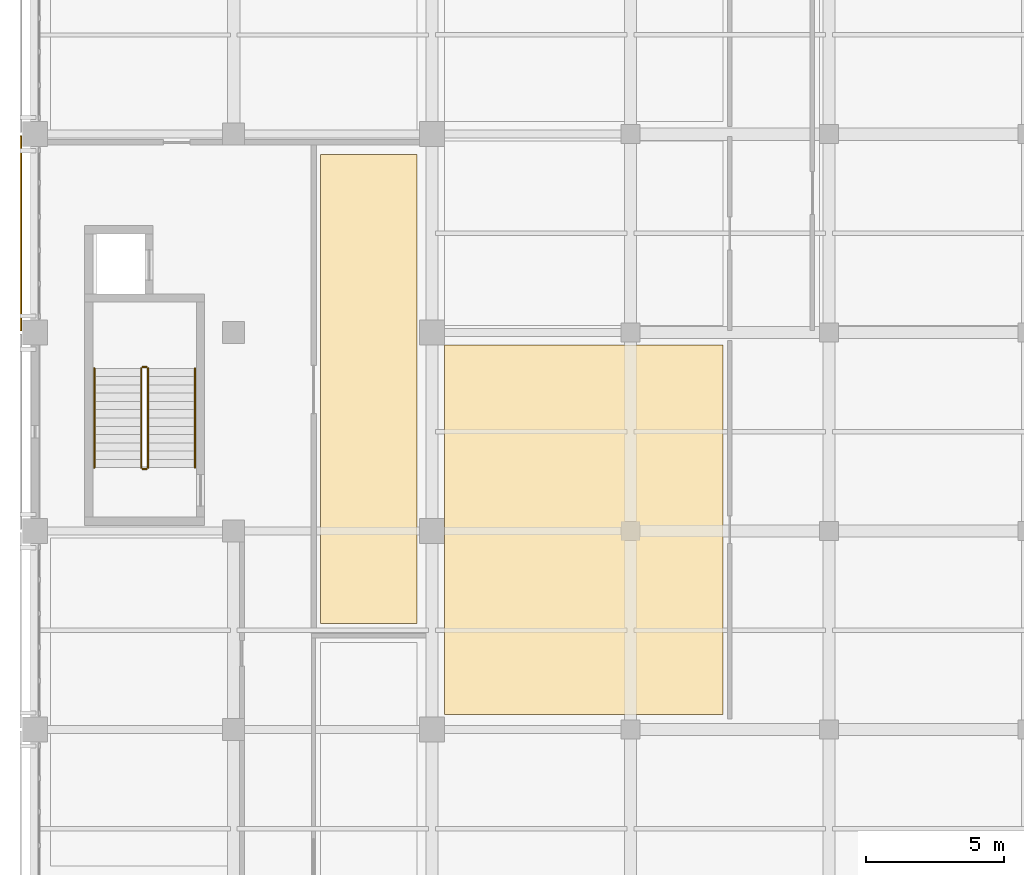
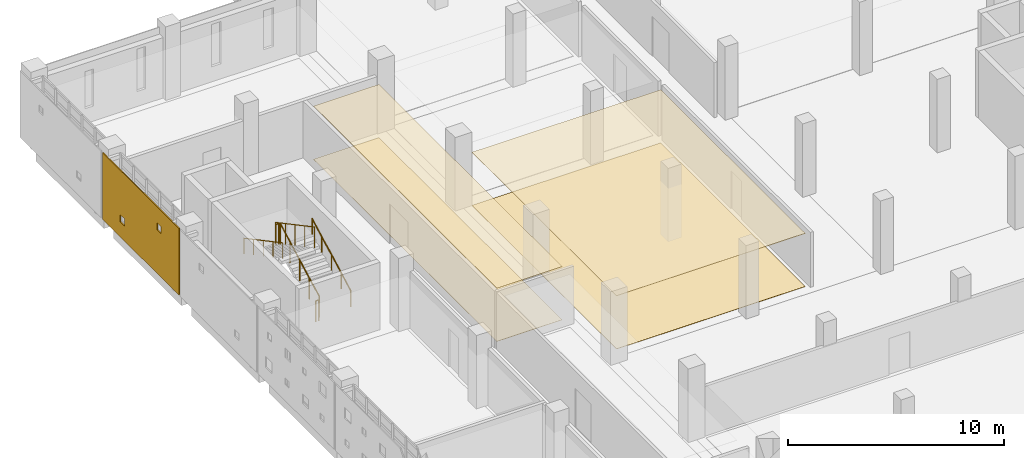
# One storey, part 51 of 57: 6 railings, 5 coverings.
"""IFC4 building model written with IfcOpenShell, lengths in metres."""

from ifc_helpers import new_model, si_unit, direction, frame, origin, origin_2d, place, context, subcontext, project, spatial, polyline, circle, outline, extrude, material, layer, layer_set, type_object, element, save


model = new_model("IFC4")

# Units and contexts
model_context = context("Model", 3, precision=1e-05, world=origin(), true_north=direction((0.0, 1.0)))
body_context = subcontext(model_context, "Body", "Model", "MODEL_VIEW")
ifc_project = project(units=[si_unit("LENGTHUNIT", "METRE"), si_unit("AREAUNIT", "SQUARE_METRE"), si_unit("VOLUMEUNIT", "CUBIC_METRE"), si_unit("PLANEANGLEUNIT", "RADIAN"), si_unit("MASSUNIT", "GRAM", prefix="KILO")], contexts=[model_context])

# Site, building, storey
site_placement = place(None, origin())
site = spatial("IfcSite", under=ifc_project, at=site_placement, CompositionType="ELEMENT")
building_placement = place(site_placement, origin())
building = spatial("IfcBuilding", under=site, at=building_placement, Name="Valkovuoma Quantum and Materials Research Institute", CompositionType="ELEMENT")
storey_placement = place(building_placement, frame((0.0, 0.0, 4.800048828125)))
storey = spatial("IfcBuildingStorey", under=building, at=storey_placement, Name="L01", CompositionType="ELEMENT", Elevation=4.800048828125)

# Coverings
ifc_material_1 = material(Name="Cleanable acoustic mineral-fibre suspended ceiling", Category="masonry")
ifc_layer_1 = layer(ifc_material_1, 0.02490234375)
ifc_layer_set_1 = layer_set([ifc_layer_1], Name="Cleanable acoustic mineral-fibre suspended ceiling")
covering_type_1 = type_object("IfcCoveringType", Name="Cov-CEIL-01", PredefinedType="CEILING", material=ifc_layer_set_1)
covering_1_placement = place(storey_placement, frame((0.0, 0.0, 3.0)))
element("IfcCovering", 1, at=covering_1_placement, inside=storey, type_object=covering_type_1, Name="L01 acoustic ceiling 0032", PredefinedType="CEILING", context=body_context, shape_type="SweptSolid", body=[
    extrude(outline(polyline([(10.35009765625, 68.64990234375), (13.85009765625, 68.64990234375), (13.85009765625, 85.64990234375), (10.35009765625, 85.64990234375), (10.35009765625, 68.64990234375)])), origin(), (0.0, 0.0, 1.0), 0.02490234375),
])
covering_2_placement = place(storey_placement, frame((0.0, 0.0, 3.0)))
element("IfcCovering", 2, at=covering_2_placement, inside=storey, type_object=covering_type_1, Name="L01 acoustic ceiling 0040", PredefinedType="CEILING", context=body_context, shape_type="SweptSolid", body=[
    extrude(outline(polyline([(14.85009765625, 65.35009765625), (24.949951171875, 65.35009765625), (24.949951171875, 78.75), (14.85009765625, 78.75), (14.85009765625, 65.35009765625)])), origin(), (0.0, 0.0, 1.0), 0.02490234375),
])
ifc_material_2 = material(Name="Seamless dissipative laboratory resin flooring", Category="masonry")
ifc_layer_2 = layer(ifc_material_2, 0.014892578125)
ifc_layer_set_2 = layer_set([ifc_layer_2], Name="Seamless dissipative laboratory resin flooring")
covering_type_2 = type_object("IfcCoveringType", Name="Cov-FLOR-01", PredefinedType="FLOORING", material=ifc_layer_set_2)
covering_3_placement = place(storey_placement, origin())
element("IfcCovering", 3, at=covering_3_placement, inside=storey, type_object=covering_type_2, Name="L01 resin flooring 0032", PredefinedType="FLOORING", context=body_context, shape_type="SweptSolid", body=[
    extrude(outline(polyline([(10.35009765625, 68.64990234375), (13.85009765625, 68.64990234375), (13.85009765625, 85.64990234375), (10.35009765625, 85.64990234375), (10.35009765625, 68.64990234375)])), origin(), (0.0, 0.0, 1.0), 0.014892578125),
])
covering_4_placement = place(storey_placement, origin())
element("IfcCovering", 4, at=covering_4_placement, inside=storey, type_object=covering_type_2, Name="L01 resin flooring 0040", PredefinedType="FLOORING", context=body_context, shape_type="SweptSolid", body=[
    extrude(outline(polyline([(14.85009765625, 65.35009765625), (24.949951171875, 65.35009765625), (24.949951171875, 78.75), (14.85009765625, 78.75), (14.85009765625, 65.35009765625)])), origin(), (0.0, 0.0, 1.0), 0.014892578125),
])
ifc_material_3 = material(Name="White powder-coated aluminium architectural panel", Category="aluminium")
ifc_layer_3 = layer(ifc_material_3, 0.054931640625)
ifc_layer_set_3 = layer_set([ifc_layer_3], Name="White powder-coated aluminium architectural panel")
covering_type_3 = type_object("IfcCoveringType", Name="Cov-PERF-SPARSE", PredefinedType="CLADDING", material=ifc_layer_set_3)
covering_5_placement = place(storey_placement, frame((-0.52001953125, 79.260009765625, 0.02001953125), z_axis=(0.0, 0.0, 1.0), x_axis=(0.0, 1.0, 0.0)))
element("IfcCovering", 5, at=covering_5_placement, inside=storey, type_object=covering_type_3, Name="L01 graduated perforated white screen W-0011", PredefinedType="CLADDING", context=body_context, shape_type="SweptSolid", body=[
    extrude(outline(polyline([(0.0, 0.0), (7.080078125, 0.0), (7.080078125, 3.77001953125), (0.0, 3.77001953125), (0.0, 0.0)]), holes=[polyline([(1.635009765625, 2.467529296875), (1.635009765625, 2.867431640625), (2.034912109375, 2.867431640625), (2.034912109375, 2.467529296875), (1.635009765625, 2.467529296875)]), polyline([(5.044921875, 0.8525390625), (5.044921875, 1.25244140625), (5.445068359375, 1.25244140625), (5.445068359375, 0.8525390625), (5.044921875, 0.8525390625)])]), frame((0.0, 0.02734375, 0.0), z_axis=(0.0, -1.0, 0.0), x_axis=(1.0, 0.0, 0.0)), (0.0, 0.0, 1.0), 0.054931640625),
])

# Railings
ifc_material_4 = material(Name="Painted steel stair balustrade", Category="steel")
railing_type_1 = type_object("IfcRailingType", Name="Rail-GRD-ST", PredefinedType="BALUSTRADE", material=ifc_material_4)
railing_1_placement = place(storey_placement, frame((4.10009765625, 74.300048828125, 0.159912109375)))
element("IfcRailing", 6, at=railing_1_placement, inside=storey, type_object=railing_type_1, Name="L01 ST-2 stair guard 1", PredefinedType="BALUSTRADE", context=body_context, shape_type="SweptSolid", body=[
    extrude(circle(Radius=0.02392578125, at=origin_2d()), frame((0.0, 0.0, 1.17578125), z_axis=(0.0, 0.882352941176, 0.470588235294), x_axis=(-1.0, 0.0, 0.0)), (0.0, 0.0, 1.0), 4.079833984375),
    extrude(circle(Radius=0.02099609375, at=origin_2d()), origin(), (0.0, 0.0, 1.0), 1.15185546875),
    extrude(circle(Radius=0.02099609375, at=origin_2d()), frame((0.0, 0.89990234375, 0.47998046875)), (0.0, 0.0, 1.0), 1.15185546875),
    extrude(circle(Radius=0.02099609375, at=origin_2d()), frame((0.0, 1.7998046875, 0.9599609375)), (0.0, 0.0, 1.0), 1.15185546875),
    extrude(circle(Radius=0.02099609375, at=origin_2d()), frame((0.0, 2.699951171875, 1.43994140625)), (0.0, 0.0, 1.0), 1.15185546875),
    extrude(circle(Radius=0.02099609375, at=origin_2d()), frame((0.0, 3.599853515625, 1.919921875)), (0.0, 0.0, 1.0), 1.15185546875),
])
railing_2_placement = place(storey_placement, frame((4.050048828125, 77.949951171875, 2.079833984375)))
element("IfcRailing", 7, at=railing_2_placement, inside=storey, type_object=railing_type_1, Name="L01 ST-2 stair guard 2", PredefinedType="BALUSTRADE", context=body_context, shape_type="SweptSolid", body=[
    extrude(circle(Radius=0.02392578125, at=origin_2d()), frame((0.0, 0.0, 1.17578125), z_axis=(-1.0, 0.0, 0.0), x_axis=(0.0, -1.0, 0.0)), (0.0, 0.0, 1.0), 0.150146484375),
    extrude(circle(Radius=0.02099609375, at=origin_2d()), origin(), (0.0, 0.0, 1.0), 1.15185546875),
    extrude(circle(Radius=0.02099609375, at=origin_2d()), frame((-0.150146484375, 0.0, 0.0)), (0.0, 0.0, 1.0), 1.15185546875),
])
railing_3_placement = place(storey_placement, frame((3.85009765625, 77.89990234375, 2.239990234375)))
element("IfcRailing", 8, at=railing_3_placement, inside=storey, type_object=railing_type_1, Name="L01 ST-2 stair guard 3", PredefinedType="BALUSTRADE", context=body_context, shape_type="SweptSolid", body=[
    extrude(circle(Radius=0.02392578125, at=origin_2d()), frame((0.0, 0.0, 1.17578125), z_axis=(0.0, -0.882352941176, 0.470588235294), x_axis=(1.0, 0.0, 0.0)), (0.0, 0.0, 1.0), 4.079833984375),
    extrude(circle(Radius=0.02099609375, at=origin_2d()), origin(), (0.0, 0.0, 1.0), 1.15185546875),
    extrude(circle(Radius=0.02099609375, at=origin_2d()), frame((0.0, -0.89990234375, 0.47998046875)), (0.0, 0.0, 1.0), 1.15185546875),
    extrude(circle(Radius=0.02099609375, at=origin_2d()), frame((0.0, -1.7998046875, 0.9599609375)), (0.0, 0.0, 1.0), 1.15185546875),
    extrude(circle(Radius=0.02099609375, at=origin_2d()), frame((0.0, -2.699951171875, 1.43994140625)), (0.0, 0.0, 1.0), 1.15185546875),
    extrude(circle(Radius=0.02099609375, at=origin_2d()), frame((0.0, -3.599853515625, 1.919921875)), (0.0, 0.0, 1.0), 1.15185546875),
])
railing_4_placement = place(storey_placement, frame((4.050048828125, 74.25, 0.0)))
element("IfcRailing", 9, at=railing_4_placement, inside=storey, type_object=railing_type_1, Name="L01 ST-2 stair guard 4", PredefinedType="BALUSTRADE", context=body_context, shape_type="SweptSolid", body=[
    extrude(circle(Radius=0.02392578125, at=origin_2d()), frame((0.0, 0.0, 1.17578125), z_axis=(-1.0, 0.0, 0.0), x_axis=(0.0, -1.0, 0.0)), (0.0, 0.0, 1.0), 0.150146484375),
    extrude(circle(Radius=0.02099609375, at=origin_2d()), origin(), (0.0, 0.0, 1.0), 1.15185546875),
    extrude(circle(Radius=0.02099609375, at=origin_2d()), frame((-0.150146484375, 0.0, 0.0)), (0.0, 0.0, 1.0), 1.15185546875),
])
ifc_material_5 = material(Name="Brushed stainless steel handrail", Category="steel")
railing_type_2 = type_object("IfcRailingType", Name="Rail-HR-ST", PredefinedType="HANDRAIL", material=ifc_material_5)
railing_5_placement = place(storey_placement, frame((5.800048828125, 74.300048828125, 0.159912109375)))
element("IfcRailing", 10, at=railing_5_placement, inside=storey, type_object=railing_type_2, Name="L01 ST-2 stair handrail 1", PredefinedType="HANDRAIL", context=body_context, shape_type="SweptSolid", body=[
    extrude(circle(Radius=0.02392578125, at=origin_2d()), frame((0.0, 0.0, 0.8759765625), z_axis=(0.0, 0.882352941176, 0.470588235294), x_axis=(-1.0, 0.0, 0.0)), (0.0, 0.0, 1.0), 4.079833984375),
    extrude(circle(Radius=0.02099609375, at=origin_2d()), origin(), (0.0, 0.0, 1.0), 0.851806640625),
    extrude(circle(Radius=0.02099609375, at=origin_2d()), frame((0.0, 0.89990234375, 0.47998046875)), (0.0, 0.0, 1.0), 0.851806640625),
    extrude(circle(Radius=0.02099609375, at=origin_2d()), frame((0.0, 1.7998046875, 0.9599609375)), (0.0, 0.0, 1.0), 0.851806640625),
    extrude(circle(Radius=0.02099609375, at=origin_2d()), frame((0.0, 2.699951171875, 1.43994140625)), (0.0, 0.0, 1.0), 0.851806640625),
    extrude(circle(Radius=0.02099609375, at=origin_2d()), frame((0.0, 3.599853515625, 1.919921875)), (0.0, 0.0, 1.0), 0.851806640625),
])
railing_6_placement = place(storey_placement, frame((2.14990234375, 77.89990234375, 2.239990234375)))
element("IfcRailing", 11, at=railing_6_placement, inside=storey, type_object=railing_type_2, Name="L01 ST-2 stair handrail 2", PredefinedType="HANDRAIL", context=body_context, shape_type="SweptSolid", body=[
    extrude(circle(Radius=0.02392578125, at=origin_2d()), frame((0.0, 0.0, 0.8759765625), z_axis=(0.0, -0.882352941176, 0.470588235294), x_axis=(1.0, 0.0, 0.0)), (0.0, 0.0, 1.0), 4.079833984375),
    extrude(circle(Radius=0.02099609375, at=origin_2d()), origin(), (0.0, 0.0, 1.0), 0.851806640625),
    extrude(circle(Radius=0.02099609375, at=origin_2d()), frame((0.0, -0.89990234375, 0.47998046875)), (0.0, 0.0, 1.0), 0.851806640625),
    extrude(circle(Radius=0.02099609375, at=origin_2d()), frame((0.0, -1.7998046875, 0.9599609375)), (0.0, 0.0, 1.0), 0.851806640625),
    extrude(circle(Radius=0.02099609375, at=origin_2d()), frame((0.0, -2.699951171875, 1.43994140625)), (0.0, 0.0, 1.0), 0.851806640625),
    extrude(circle(Radius=0.02099609375, at=origin_2d()), frame((0.0, -3.599853515625, 1.919921875)), (0.0, 0.0, 1.0), 0.851806640625),
])

save(model, "model.ifc")
